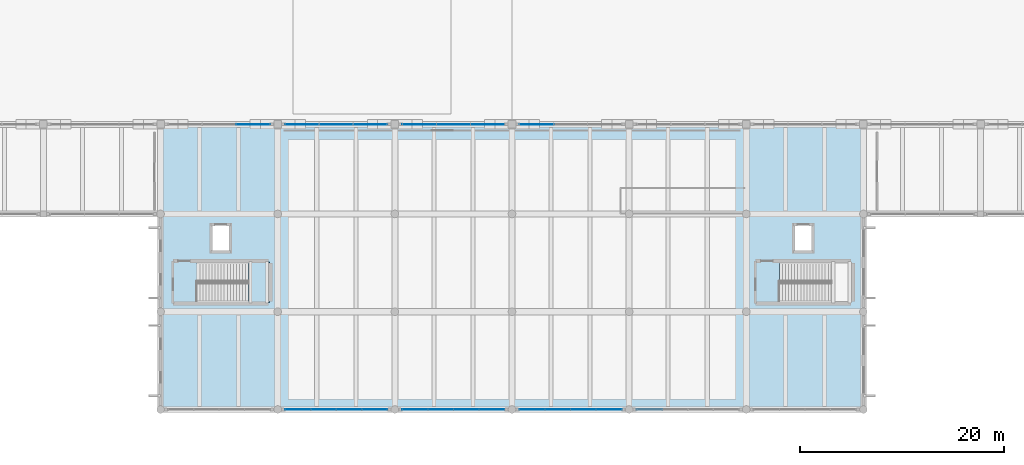
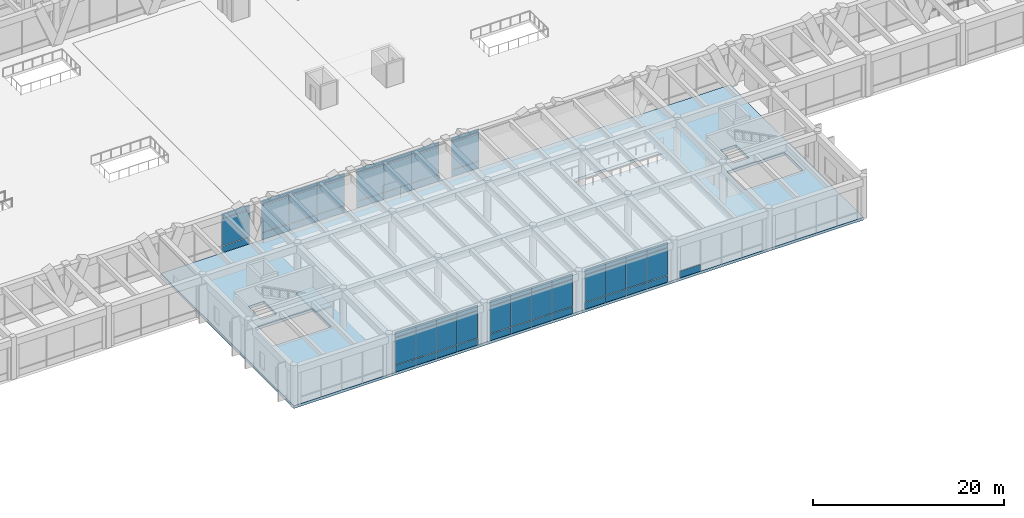
# One storey, part 115 of 148: 61 plates, 2 slabs, 9 elements without a shape of their own.
"""IFC4 building model written with IfcOpenShell, lengths in metres."""

from ifc_helpers import new_model, si_unit, direction, frame, origin, origin_2d, place, context, subcontext, project, spatial, polyline, rectangle, outline, extrude, material, layer, layer_set, type_object, element, aggregate, save


model = new_model("IFC4")

# Units and contexts
model_context = context("Model", 3, precision=1e-05, world=origin(), true_north=direction((0.0, 1.0)))
body_context = subcontext(model_context, "Body", "Model", "MODEL_VIEW")
ifc_project = project(units=[si_unit("LENGTHUNIT", "METRE"), si_unit("AREAUNIT", "SQUARE_METRE"), si_unit("VOLUMEUNIT", "CUBIC_METRE"), si_unit("PLANEANGLEUNIT", "RADIAN"), si_unit("MASSUNIT", "GRAM", prefix="KILO")], contexts=[model_context])

# Site, building, storey
site_placement = place(None, origin())
site = spatial("IfcSite", under=ifc_project, at=site_placement, CompositionType="ELEMENT")
building_placement = place(site_placement, origin())
building = spatial("IfcBuilding", under=site, at=building_placement, Name="Ologun Quay Terminus", CompositionType="ELEMENT")
storey_placement = place(building_placement, frame((0.0, 0.0, 8.39990234375)))
storey = spatial("IfcBuildingStorey", under=building, at=storey_placement, Name="L02", CompositionType="ELEMENT", Elevation=8.39990234375)

# Curtain wall, plates
ifc_material_1 = material(Name="Aluminium 6063-T6", Category="aluminium")
curtain_wall_type_1 = type_object("IfcCurtainWallType", Name="Concourse Departure Curtain Wall 10700x4950", PredefinedType="USERDEFINED", material=ifc_material_1)
curtain_wall_1_placement = place(storey_placement, origin())
curtain_wall_1 = element("IfcCurtainWall", 1, at=curtain_wall_1_placement, inside=storey, type_object=curtain_wall_type_1, Name="CW-05 Curtain Wall CW-L02-025", ObjectType="UNITISED CURTAIN WALL", PredefinedType="USERDEFINED")
ifc_material_2 = material(Name="Glass", Category="glass")
ifc_layer_1 = layer(ifc_material_2, 0.031982421875)
ifc_layer_set_1 = layer_set([ifc_layer_1], Name="Glass")
plate_type_1 = type_object("IfcPlateType", Name="Acoustic Low-E Laminated Glazed Panel 32", PredefinedType="CURTAIN_PANEL", material=ifc_layer_set_1)
plate_1_placement = place(storey_placement, frame((70.996337890625, 8.0, 0.93017578125), z_axis=(0.0, 0.0, 1.0), x_axis=(1.0, 0.0, 0.0)))
plate_1 = element("IfcPlate", 2, at=plate_1_placement, type_object=plate_type_1, Name="CW-L02-025 Panel B1-2", PredefinedType="CURTAIN_PANEL", context=body_context, shape_type="SweptSolid", body=[
    extrude(rectangle(XDim=2.50244140625, YDim=0.031982421875, at=origin_2d()), origin(), (0.0, 0.0, 1.0), 3.47998046875),
])
plate_2_placement = place(storey_placement, frame((70.996337890625, 8.0, 4.47021484375), z_axis=(0.0, 0.0, 1.0), x_axis=(1.0, 0.0, 0.0)))
plate_2 = element("IfcPlate", 3, at=plate_2_placement, type_object=plate_type_1, Name="CW-L02-025 Panel B1-3", PredefinedType="CURTAIN_PANEL", context=body_context, shape_type="SweptSolid", body=[
    extrude(rectangle(XDim=2.50244140625, YDim=0.031982421875, at=origin_2d()), origin(), (0.0, 0.0, 1.0), 0.639892578125),
])
plate_3_placement = place(storey_placement, frame((73.498779296875, 8.0, 0.93017578125), z_axis=(0.0, 0.0, 1.0), x_axis=(1.0, 0.0, 0.0)))
plate_3 = element("IfcPlate", 4, at=plate_3_placement, type_object=plate_type_1, Name="CW-L02-025 Panel B2-2", PredefinedType="CURTAIN_PANEL", context=body_context, shape_type="SweptSolid", body=[
    extrude(rectangle(XDim=2.50244140625, YDim=0.031982421875, at=origin_2d()), origin(), (0.0, 0.0, 1.0), 3.47998046875),
])
plate_4_placement = place(storey_placement, frame((73.498779296875, 8.0, 4.47021484375), z_axis=(0.0, 0.0, 1.0), x_axis=(1.0, 0.0, 0.0)))
plate_4 = element("IfcPlate", 5, at=plate_4_placement, type_object=plate_type_1, Name="CW-L02-025 Panel B2-3", PredefinedType="CURTAIN_PANEL", context=body_context, shape_type="SweptSolid", body=[
    extrude(rectangle(XDim=2.50244140625, YDim=0.031982421875, at=origin_2d()), origin(), (0.0, 0.0, 1.0), 0.639892578125),
])
plate_5_placement = place(storey_placement, frame((76.001220703125, 8.0, 0.93017578125), z_axis=(0.0, 0.0, 1.0), x_axis=(1.0, 0.0, 0.0)))
plate_5 = element("IfcPlate", 6, at=plate_5_placement, type_object=plate_type_1, Name="CW-L02-025 Panel B3-2", PredefinedType="CURTAIN_PANEL", context=body_context, shape_type="SweptSolid", body=[
    extrude(rectangle(XDim=2.50244140625, YDim=0.031982421875, at=origin_2d()), origin(), (0.0, 0.0, 1.0), 3.47998046875),
])
plate_6_placement = place(storey_placement, frame((76.001220703125, 8.0, 4.47021484375), z_axis=(0.0, 0.0, 1.0), x_axis=(1.0, 0.0, 0.0)))
plate_6 = element("IfcPlate", 7, at=plate_6_placement, type_object=plate_type_1, Name="CW-L02-025 Panel B3-3", PredefinedType="CURTAIN_PANEL", context=body_context, shape_type="SweptSolid", body=[
    extrude(rectangle(XDim=2.50244140625, YDim=0.031982421875, at=origin_2d()), origin(), (0.0, 0.0, 1.0), 0.639892578125),
])
plate_7_placement = place(storey_placement, frame((78.503662109375, 8.0, 0.93017578125), z_axis=(0.0, 0.0, 1.0), x_axis=(1.0, 0.0, 0.0)))
plate_7 = element("IfcPlate", 8, at=plate_7_placement, type_object=plate_type_1, Name="CW-L02-025 Panel B4-2", PredefinedType="CURTAIN_PANEL", context=body_context, shape_type="SweptSolid", body=[
    extrude(rectangle(XDim=2.50244140625, YDim=0.031982421875, at=origin_2d()), origin(), (0.0, 0.0, 1.0), 3.47998046875),
])
plate_8_placement = place(storey_placement, frame((78.503662109375, 8.0, 4.47021484375), z_axis=(0.0, 0.0, 1.0), x_axis=(1.0, 0.0, 0.0)))
plate_8 = element("IfcPlate", 9, at=plate_8_placement, type_object=plate_type_1, Name="CW-L02-025 Panel B4-3", PredefinedType="CURTAIN_PANEL", context=body_context, shape_type="SweptSolid", body=[
    extrude(rectangle(XDim=2.50244140625, YDim=0.031982421875, at=origin_2d()), origin(), (0.0, 0.0, 1.0), 0.639892578125),
])

curtain_wall_2_placement = place(storey_placement, origin())
curtain_wall_2 = element("IfcCurtainWall", 10, at=curtain_wall_2_placement, inside=storey, type_object=curtain_wall_type_1, Name="CW-05 Curtain Wall CW-L02-026", ObjectType="UNITISED CURTAIN WALL", PredefinedType="USERDEFINED")
plate_9_placement = place(storey_placement, frame((82.496337890625, 8.0, 0.93017578125), z_axis=(0.0, 0.0, 1.0), x_axis=(1.0, 0.0, 0.0)))
plate_9 = element("IfcPlate", 11, at=plate_9_placement, type_object=plate_type_1, Name="CW-L02-026 Panel B1-2", PredefinedType="CURTAIN_PANEL", context=body_context, shape_type="SweptSolid", body=[
    extrude(rectangle(XDim=2.50244140625, YDim=0.031982421875, at=origin_2d()), origin(), (0.0, 0.0, 1.0), 3.47998046875),
])
plate_10_placement = place(storey_placement, frame((82.496337890625, 8.0, 4.47021484375), z_axis=(0.0, 0.0, 1.0), x_axis=(1.0, 0.0, 0.0)))
plate_10 = element("IfcPlate", 12, at=plate_10_placement, type_object=plate_type_1, Name="CW-L02-026 Panel B1-3", PredefinedType="CURTAIN_PANEL", context=body_context, shape_type="SweptSolid", body=[
    extrude(rectangle(XDim=2.50244140625, YDim=0.031982421875, at=origin_2d()), origin(), (0.0, 0.0, 1.0), 0.639892578125),
])
plate_11_placement = place(storey_placement, frame((84.998779296875, 8.0, 0.93017578125), z_axis=(0.0, 0.0, 1.0), x_axis=(1.0, 0.0, 0.0)))
plate_11 = element("IfcPlate", 13, at=plate_11_placement, type_object=plate_type_1, Name="CW-L02-026 Panel B2-2", PredefinedType="CURTAIN_PANEL", context=body_context, shape_type="SweptSolid", body=[
    extrude(rectangle(XDim=2.50244140625, YDim=0.031982421875, at=origin_2d()), origin(), (0.0, 0.0, 1.0), 3.47998046875),
])
plate_12_placement = place(storey_placement, frame((84.998779296875, 8.0, 4.47021484375), z_axis=(0.0, 0.0, 1.0), x_axis=(1.0, 0.0, 0.0)))
plate_12 = element("IfcPlate", 14, at=plate_12_placement, type_object=plate_type_1, Name="CW-L02-026 Panel B2-3", PredefinedType="CURTAIN_PANEL", context=body_context, shape_type="SweptSolid", body=[
    extrude(rectangle(XDim=2.50244140625, YDim=0.031982421875, at=origin_2d()), origin(), (0.0, 0.0, 1.0), 0.639892578125),
])
plate_13_placement = place(storey_placement, frame((87.501220703125, 8.0, 0.93017578125), z_axis=(0.0, 0.0, 1.0), x_axis=(1.0, 0.0, 0.0)))
plate_13 = element("IfcPlate", 15, at=plate_13_placement, type_object=plate_type_1, Name="CW-L02-026 Panel B3-2", PredefinedType="CURTAIN_PANEL", context=body_context, shape_type="SweptSolid", body=[
    extrude(rectangle(XDim=2.50244140625, YDim=0.031982421875, at=origin_2d()), origin(), (0.0, 0.0, 1.0), 3.47998046875),
])
plate_14_placement = place(storey_placement, frame((87.501220703125, 8.0, 4.47021484375), z_axis=(0.0, 0.0, 1.0), x_axis=(1.0, 0.0, 0.0)))
plate_14 = element("IfcPlate", 16, at=plate_14_placement, type_object=plate_type_1, Name="CW-L02-026 Panel B3-3", PredefinedType="CURTAIN_PANEL", context=body_context, shape_type="SweptSolid", body=[
    extrude(rectangle(XDim=2.50244140625, YDim=0.031982421875, at=origin_2d()), origin(), (0.0, 0.0, 1.0), 0.639892578125),
])
plate_15_placement = place(storey_placement, frame((90.003662109375, 8.0, 0.93017578125), z_axis=(0.0, 0.0, 1.0), x_axis=(1.0, 0.0, 0.0)))
plate_15 = element("IfcPlate", 17, at=plate_15_placement, type_object=plate_type_1, Name="CW-L02-026 Panel B4-2", PredefinedType="CURTAIN_PANEL", context=body_context, shape_type="SweptSolid", body=[
    extrude(rectangle(XDim=2.50244140625, YDim=0.031982421875, at=origin_2d()), origin(), (0.0, 0.0, 1.0), 3.47998046875),
])
plate_16_placement = place(storey_placement, frame((90.003662109375, 8.0, 4.47021484375), z_axis=(0.0, 0.0, 1.0), x_axis=(1.0, 0.0, 0.0)))
plate_16 = element("IfcPlate", 18, at=plate_16_placement, type_object=plate_type_1, Name="CW-L02-026 Panel B4-3", PredefinedType="CURTAIN_PANEL", context=body_context, shape_type="SweptSolid", body=[
    extrude(rectangle(XDim=2.50244140625, YDim=0.031982421875, at=origin_2d()), origin(), (0.0, 0.0, 1.0), 0.639892578125),
])

curtain_wall_3_placement = place(storey_placement, origin())
curtain_wall_3 = element("IfcCurtainWall", 19, at=curtain_wall_3_placement, inside=storey, type_object=curtain_wall_type_1, Name="CW-05 Curtain Wall CW-L02-027", ObjectType="UNITISED CURTAIN WALL", PredefinedType="USERDEFINED")
plate_17_placement = place(storey_placement, frame((93.996337890625, 8.0, 0.93017578125), z_axis=(0.0, 0.0, 1.0), x_axis=(1.0, 0.0, 0.0)))
plate_17 = element("IfcPlate", 20, at=plate_17_placement, type_object=plate_type_1, Name="CW-L02-027 Panel B1-2", PredefinedType="CURTAIN_PANEL", context=body_context, shape_type="SweptSolid", body=[
    extrude(rectangle(XDim=2.50244140625, YDim=0.031982421875, at=origin_2d()), origin(), (0.0, 0.0, 1.0), 3.47998046875),
])
plate_18_placement = place(storey_placement, frame((93.996337890625, 8.0, 4.47021484375), z_axis=(0.0, 0.0, 1.0), x_axis=(1.0, 0.0, 0.0)))
plate_18 = element("IfcPlate", 21, at=plate_18_placement, type_object=plate_type_1, Name="CW-L02-027 Panel B1-3", PredefinedType="CURTAIN_PANEL", context=body_context, shape_type="SweptSolid", body=[
    extrude(rectangle(XDim=2.50244140625, YDim=0.031982421875, at=origin_2d()), origin(), (0.0, 0.0, 1.0), 0.639892578125),
])
plate_19_placement = place(storey_placement, frame((96.498779296875, 8.0, 0.93017578125), z_axis=(0.0, 0.0, 1.0), x_axis=(1.0, 0.0, 0.0)))
plate_19 = element("IfcPlate", 22, at=plate_19_placement, type_object=plate_type_1, Name="CW-L02-027 Panel B2-2", PredefinedType="CURTAIN_PANEL", context=body_context, shape_type="SweptSolid", body=[
    extrude(rectangle(XDim=2.50244140625, YDim=0.031982421875, at=origin_2d()), origin(), (0.0, 0.0, 1.0), 3.47998046875),
])
plate_20_placement = place(storey_placement, frame((96.498779296875, 8.0, 4.47021484375), z_axis=(0.0, 0.0, 1.0), x_axis=(1.0, 0.0, 0.0)))
plate_20 = element("IfcPlate", 23, at=plate_20_placement, type_object=plate_type_1, Name="CW-L02-027 Panel B2-3", PredefinedType="CURTAIN_PANEL", context=body_context, shape_type="SweptSolid", body=[
    extrude(rectangle(XDim=2.50244140625, YDim=0.031982421875, at=origin_2d()), origin(), (0.0, 0.0, 1.0), 0.639892578125),
])
plate_21_placement = place(storey_placement, frame((99.001220703125, 8.0, 0.93017578125), z_axis=(0.0, 0.0, 1.0), x_axis=(1.0, 0.0, 0.0)))
plate_21 = element("IfcPlate", 24, at=plate_21_placement, type_object=plate_type_1, Name="CW-L02-027 Panel B3-2", PredefinedType="CURTAIN_PANEL", context=body_context, shape_type="SweptSolid", body=[
    extrude(rectangle(XDim=2.50244140625, YDim=0.031982421875, at=origin_2d()), origin(), (0.0, 0.0, 1.0), 3.47998046875),
])
plate_22_placement = place(storey_placement, frame((99.001220703125, 8.0, 4.47021484375), z_axis=(0.0, 0.0, 1.0), x_axis=(1.0, 0.0, 0.0)))
plate_22 = element("IfcPlate", 25, at=plate_22_placement, type_object=plate_type_1, Name="CW-L02-027 Panel B3-3", PredefinedType="CURTAIN_PANEL", context=body_context, shape_type="SweptSolid", body=[
    extrude(rectangle(XDim=2.50244140625, YDim=0.031982421875, at=origin_2d()), origin(), (0.0, 0.0, 1.0), 0.639892578125),
])
plate_23_placement = place(storey_placement, frame((101.503662109375, 8.0, 0.93017578125), z_axis=(0.0, 0.0, 1.0), x_axis=(1.0, 0.0, 0.0)))
plate_23 = element("IfcPlate", 26, at=plate_23_placement, type_object=plate_type_1, Name="CW-L02-027 Panel B4-2", PredefinedType="CURTAIN_PANEL", context=body_context, shape_type="SweptSolid", body=[
    extrude(rectangle(XDim=2.50244140625, YDim=0.031982421875, at=origin_2d()), origin(), (0.0, 0.0, 1.0), 3.47998046875),
])
plate_24_placement = place(storey_placement, frame((101.503662109375, 8.0, 4.47021484375), z_axis=(0.0, 0.0, 1.0), x_axis=(1.0, 0.0, 0.0)))
plate_24 = element("IfcPlate", 27, at=plate_24_placement, type_object=plate_type_1, Name="CW-L02-027 Panel B4-3", PredefinedType="CURTAIN_PANEL", context=body_context, shape_type="SweptSolid", body=[
    extrude(rectangle(XDim=2.50244140625, YDim=0.031982421875, at=origin_2d()), origin(), (0.0, 0.0, 1.0), 0.639892578125),
])

# Slab
ifc_material_3 = material(Name="Concrete C40/50", Category="concrete")
ifc_layer_2 = layer(ifc_material_3, 0.35009765625)
ifc_layer_set_2 = layer_set([ifc_layer_2], Name="Concrete C40/50")
slab_type_1 = type_object("IfcSlabType", Name="Elevated Concourse Deck Slab 350", PredefinedType="FLOOR", material=ifc_layer_set_2)
slab_1_placement = place(storey_placement, frame((0.0, 0.0, -0.349853515625)))
element("IfcSlab", 28, at=slab_1_placement, inside=storey, type_object=slab_type_1, Name="SL-CON South Concourse Slab 2", PredefinedType="FLOOR", context=body_context, shape_type="SweptSolid", body=[
    extrude(outline(polyline([(57.5, 8.0), (126.5, 8.0), (126.5, 36.0), (57.5, 36.0), (57.5, 8.0)]), holes=[polyline([(62.449951171875, 23.449951171875), (62.449951171875, 26.14990234375), (64.35009765625, 26.14990234375), (64.35009765625, 23.449951171875), (62.449951171875, 23.449951171875)]), polyline([(119.64990234375, 23.449951171875), (119.64990234375, 26.14990234375), (121.550048828125, 26.14990234375), (121.550048828125, 23.449951171875), (119.64990234375, 23.449951171875)]), polyline([(61.080078125, 18.60009765625), (61.080078125, 22.39990234375), (68.10009765625, 22.39990234375), (68.10009765625, 18.60009765625), (61.080078125, 18.60009765625)]), polyline([(118.280029296875, 18.60009765625), (118.280029296875, 22.39990234375), (125.300048828125, 22.39990234375), (125.300048828125, 18.60009765625), (118.280029296875, 18.60009765625)]), polyline([(103.64990234375, 27.800048828125), (103.64990234375, 29.199951171875), (113.85009765625, 29.199951171875), (113.85009765625, 27.800048828125), (103.64990234375, 27.800048828125)])]), origin(), (0.0, 0.0, 1.0), 0.349853515625),
])

# Plate
ifc_material_4 = material(Name="Aluminium 6063-T6", Category="aluminium")
ifc_layer_3 = layer(ifc_material_4, 0.050048828125)
ifc_layer_set_3 = layer_set([ifc_layer_3], Name="Aluminium 6063-T6")
plate_type_2 = type_object("IfcPlateType", Name="Insulated Aluminium Shadow-Box Spandrel 50", PredefinedType="CURTAIN_PANEL", material=ifc_layer_set_3)
plate_25_placement = place(storey_placement, frame((70.996337890625, 8.0, 0.0302734375), z_axis=(0.0, 0.0, 1.0), x_axis=(1.0, 0.0, 0.0)))
plate_25 = element("IfcPlate", 29, at=plate_25_placement, type_object=plate_type_2, Name="CW-L02-025 Panel B1-1", PredefinedType="CURTAIN_PANEL", context=body_context, shape_type="SweptSolid", body=[
    extrude(rectangle(XDim=2.50244140625, YDim=0.050048828125, at=origin_2d()), origin(), (0.0, 0.0, 1.0), 0.840087890625),
])

plate_26_placement = place(storey_placement, frame((73.498779296875, 8.0, 0.0302734375), z_axis=(0.0, 0.0, 1.0), x_axis=(1.0, 0.0, 0.0)))
plate_26 = element("IfcPlate", 30, at=plate_26_placement, type_object=plate_type_2, Name="CW-L02-025 Panel B2-1", PredefinedType="CURTAIN_PANEL", context=body_context, shape_type="SweptSolid", body=[
    extrude(rectangle(XDim=2.50244140625, YDim=0.050048828125, at=origin_2d()), origin(), (0.0, 0.0, 1.0), 0.840087890625),
])

plate_27_placement = place(storey_placement, frame((76.001220703125, 8.0, 0.0302734375), z_axis=(0.0, 0.0, 1.0), x_axis=(1.0, 0.0, 0.0)))
plate_27 = element("IfcPlate", 31, at=plate_27_placement, type_object=plate_type_2, Name="CW-L02-025 Panel B3-1", PredefinedType="CURTAIN_PANEL", context=body_context, shape_type="SweptSolid", body=[
    extrude(rectangle(XDim=2.50244140625, YDim=0.050048828125, at=origin_2d()), origin(), (0.0, 0.0, 1.0), 0.840087890625),
])

plate_28_placement = place(storey_placement, frame((78.503662109375, 8.0, 0.0302734375), z_axis=(0.0, 0.0, 1.0), x_axis=(1.0, 0.0, 0.0)))
plate_28 = element("IfcPlate", 32, at=plate_28_placement, type_object=plate_type_2, Name="CW-L02-025 Panel B4-1", PredefinedType="CURTAIN_PANEL", context=body_context, shape_type="SweptSolid", body=[
    extrude(rectangle(XDim=2.50244140625, YDim=0.050048828125, at=origin_2d()), origin(), (0.0, 0.0, 1.0), 0.840087890625),
])

aggregate(curtain_wall_1, [plate_25, plate_1, plate_2, plate_26, plate_3, plate_4, plate_27, plate_5, plate_6, plate_28, plate_7, plate_8])

plate_29_placement = place(storey_placement, frame((82.496337890625, 8.0, 0.0302734375), z_axis=(0.0, 0.0, 1.0), x_axis=(1.0, 0.0, 0.0)))
plate_29 = element("IfcPlate", 33, at=plate_29_placement, type_object=plate_type_2, Name="CW-L02-026 Panel B1-1", PredefinedType="CURTAIN_PANEL", context=body_context, shape_type="SweptSolid", body=[
    extrude(rectangle(XDim=2.50244140625, YDim=0.050048828125, at=origin_2d()), origin(), (0.0, 0.0, 1.0), 0.840087890625),
])

plate_30_placement = place(storey_placement, frame((84.998779296875, 8.0, 0.0302734375), z_axis=(0.0, 0.0, 1.0), x_axis=(1.0, 0.0, 0.0)))
plate_30 = element("IfcPlate", 34, at=plate_30_placement, type_object=plate_type_2, Name="CW-L02-026 Panel B2-1", PredefinedType="CURTAIN_PANEL", context=body_context, shape_type="SweptSolid", body=[
    extrude(rectangle(XDim=2.50244140625, YDim=0.050048828125, at=origin_2d()), origin(), (0.0, 0.0, 1.0), 0.840087890625),
])

plate_31_placement = place(storey_placement, frame((87.501220703125, 8.0, 0.0302734375), z_axis=(0.0, 0.0, 1.0), x_axis=(1.0, 0.0, 0.0)))
plate_31 = element("IfcPlate", 35, at=plate_31_placement, type_object=plate_type_2, Name="CW-L02-026 Panel B3-1", PredefinedType="CURTAIN_PANEL", context=body_context, shape_type="SweptSolid", body=[
    extrude(rectangle(XDim=2.50244140625, YDim=0.050048828125, at=origin_2d()), origin(), (0.0, 0.0, 1.0), 0.840087890625),
])

plate_32_placement = place(storey_placement, frame((90.003662109375, 8.0, 0.0302734375), z_axis=(0.0, 0.0, 1.0), x_axis=(1.0, 0.0, 0.0)))
plate_32 = element("IfcPlate", 36, at=plate_32_placement, type_object=plate_type_2, Name="CW-L02-026 Panel B4-1", PredefinedType="CURTAIN_PANEL", context=body_context, shape_type="SweptSolid", body=[
    extrude(rectangle(XDim=2.50244140625, YDim=0.050048828125, at=origin_2d()), origin(), (0.0, 0.0, 1.0), 0.840087890625),
])

aggregate(curtain_wall_2, [plate_29, plate_9, plate_10, plate_30, plate_11, plate_12, plate_31, plate_13, plate_14, plate_32, plate_15, plate_16])

plate_33_placement = place(storey_placement, frame((93.996337890625, 8.0, 0.0302734375), z_axis=(0.0, 0.0, 1.0), x_axis=(1.0, 0.0, 0.0)))
plate_33 = element("IfcPlate", 37, at=plate_33_placement, type_object=plate_type_2, Name="CW-L02-027 Panel B1-1", PredefinedType="CURTAIN_PANEL", context=body_context, shape_type="SweptSolid", body=[
    extrude(rectangle(XDim=2.50244140625, YDim=0.050048828125, at=origin_2d()), origin(), (0.0, 0.0, 1.0), 0.840087890625),
])

plate_34_placement = place(storey_placement, frame((96.498779296875, 8.0, 0.0302734375), z_axis=(0.0, 0.0, 1.0), x_axis=(1.0, 0.0, 0.0)))
plate_34 = element("IfcPlate", 38, at=plate_34_placement, type_object=plate_type_2, Name="CW-L02-027 Panel B2-1", PredefinedType="CURTAIN_PANEL", context=body_context, shape_type="SweptSolid", body=[
    extrude(rectangle(XDim=2.50244140625, YDim=0.050048828125, at=origin_2d()), origin(), (0.0, 0.0, 1.0), 0.840087890625),
])

plate_35_placement = place(storey_placement, frame((99.001220703125, 8.0, 0.0302734375), z_axis=(0.0, 0.0, 1.0), x_axis=(1.0, 0.0, 0.0)))
plate_35 = element("IfcPlate", 39, at=plate_35_placement, type_object=plate_type_2, Name="CW-L02-027 Panel B3-1", PredefinedType="CURTAIN_PANEL", context=body_context, shape_type="SweptSolid", body=[
    extrude(rectangle(XDim=2.50244140625, YDim=0.050048828125, at=origin_2d()), origin(), (0.0, 0.0, 1.0), 0.840087890625),
])

plate_36_placement = place(storey_placement, frame((101.503662109375, 8.0, 0.0302734375), z_axis=(0.0, 0.0, 1.0), x_axis=(1.0, 0.0, 0.0)))
plate_36 = element("IfcPlate", 40, at=plate_36_placement, type_object=plate_type_2, Name="CW-L02-027 Panel B4-1", PredefinedType="CURTAIN_PANEL", context=body_context, shape_type="SweptSolid", body=[
    extrude(rectangle(XDim=2.50244140625, YDim=0.050048828125, at=origin_2d()), origin(), (0.0, 0.0, 1.0), 0.840087890625),
])

aggregate(curtain_wall_3, [plate_33, plate_17, plate_18, plate_34, plate_19, plate_20, plate_35, plate_21, plate_22, plate_36, plate_23, plate_24])

# Curtain wall, plate
curtain_wall_4_placement = place(storey_placement, origin())
curtain_wall_4 = element("IfcCurtainWall", 41, at=curtain_wall_4_placement, inside=storey, type_object=curtain_wall_type_1, Name="CW-05 Curtain Wall CW-L02-028", ObjectType="UNITISED CURTAIN WALL", PredefinedType="USERDEFINED")
plate_37_placement = place(storey_placement, frame((105.496337890625, 8.0, 0.0302734375), z_axis=(0.0, 0.0, 1.0), x_axis=(1.0, 0.0, 0.0)))
plate_37 = element("IfcPlate", 42, at=plate_37_placement, type_object=plate_type_2, Name="CW-L02-028 Panel B1-1", PredefinedType="CURTAIN_PANEL", context=body_context, shape_type="SweptSolid", body=[
    extrude(rectangle(XDim=2.50244140625, YDim=0.050048828125, at=origin_2d()), origin(), (0.0, 0.0, 1.0), 0.840087890625),
])
aggregate(curtain_wall_4, [plate_37])

ifc_material_5 = material(Name="Aluminium 6063-T6", Category="aluminium")
curtain_wall_type_2 = type_object("IfcCurtainWallType", Name="Train Shed South Clerestory Curtain Wall 10700x5050", PredefinedType="USERDEFINED", material=ifc_material_5)
curtain_wall_5_placement = place(storey_placement, origin())
curtain_wall_5 = element("IfcCurtainWall", 43, at=curtain_wall_5_placement, inside=storey, type_object=curtain_wall_type_2, Name="CW-08 Curtain Wall CW-L02-054", ObjectType="UNITISED CURTAIN WALL", PredefinedType="USERDEFINED")
plate_38_placement = place(storey_placement, frame((66.586669921875, 36.0, 0.0302734375), z_axis=(0.0, 0.0, 1.0), x_axis=(1.0, 0.0, 0.0)))
plate_38 = element("IfcPlate", 44, at=plate_38_placement, type_object=plate_type_2, Name="CW-L02-054 Panel B3-1", PredefinedType="CURTAIN_PANEL", context=body_context, shape_type="SweptSolid", body=[
    extrude(rectangle(XDim=3.336669921875, YDim=0.050048828125, at=origin_2d()), origin(), (0.0, 0.0, 1.0), 0.840087890625),
])

# Curtain wall, plates
curtain_wall_6_placement = place(storey_placement, origin())
curtain_wall_6 = element("IfcCurtainWall", 45, at=curtain_wall_6_placement, inside=storey, type_object=curtain_wall_type_2, Name="CW-08 Curtain Wall CW-L02-056", ObjectType="UNITISED CURTAIN WALL", PredefinedType="USERDEFINED")
plate_39_placement = place(storey_placement, frame((71.413330078125, 36.0, 0.0302734375), z_axis=(0.0, 0.0, 1.0), x_axis=(1.0, 0.0, 0.0)))
plate_39 = element("IfcPlate", 46, at=plate_39_placement, type_object=plate_type_2, Name="CW-L02-056 Panel B1-1", PredefinedType="CURTAIN_PANEL", context=body_context, shape_type="SweptSolid", body=[
    extrude(rectangle(XDim=3.336669921875, YDim=0.050048828125, at=origin_2d()), origin(), (0.0, 0.0, 1.0), 0.840087890625),
])
plate_40_placement = place(storey_placement, frame((74.75, 36.0, 0.0302734375), z_axis=(0.0, 0.0, 1.0), x_axis=(1.0, 0.0, 0.0)))
plate_40 = element("IfcPlate", 47, at=plate_40_placement, type_object=plate_type_2, Name="CW-L02-056 Panel B2-1", PredefinedType="CURTAIN_PANEL", context=body_context, shape_type="SweptSolid", body=[
    extrude(rectangle(XDim=3.336669921875, YDim=0.050048828125, at=origin_2d()), origin(), (0.0, 0.0, 1.0), 0.840087890625),
])
plate_41_placement = place(storey_placement, frame((78.086669921875, 36.0, 0.0302734375), z_axis=(0.0, 0.0, 1.0), x_axis=(1.0, 0.0, 0.0)))
plate_41 = element("IfcPlate", 48, at=plate_41_placement, type_object=plate_type_2, Name="CW-L02-056 Panel B3-1", PredefinedType="CURTAIN_PANEL", context=body_context, shape_type="SweptSolid", body=[
    extrude(rectangle(XDim=3.336669921875, YDim=0.050048828125, at=origin_2d()), origin(), (0.0, 0.0, 1.0), 0.840087890625),
])

curtain_wall_7_placement = place(storey_placement, origin())
curtain_wall_7 = element("IfcCurtainWall", 49, at=curtain_wall_7_placement, inside=storey, type_object=curtain_wall_type_2, Name="CW-08 Curtain Wall CW-L02-058", ObjectType="UNITISED CURTAIN WALL", PredefinedType="USERDEFINED")
plate_42_placement = place(storey_placement, frame((82.913330078125, 36.0, 0.0302734375), z_axis=(0.0, 0.0, 1.0), x_axis=(1.0, 0.0, 0.0)))
plate_42 = element("IfcPlate", 50, at=plate_42_placement, type_object=plate_type_2, Name="CW-L02-058 Panel B1-1", PredefinedType="CURTAIN_PANEL", context=body_context, shape_type="SweptSolid", body=[
    extrude(rectangle(XDim=3.336669921875, YDim=0.050048828125, at=origin_2d()), origin(), (0.0, 0.0, 1.0), 0.840087890625),
])
plate_43_placement = place(storey_placement, frame((86.25, 36.0, 0.0302734375), z_axis=(0.0, 0.0, 1.0), x_axis=(1.0, 0.0, 0.0)))
plate_43 = element("IfcPlate", 51, at=plate_43_placement, type_object=plate_type_2, Name="CW-L02-058 Panel B2-1", PredefinedType="CURTAIN_PANEL", context=body_context, shape_type="SweptSolid", body=[
    extrude(rectangle(XDim=3.336669921875, YDim=0.050048828125, at=origin_2d()), origin(), (0.0, 0.0, 1.0), 0.840087890625),
])
plate_44_placement = place(storey_placement, frame((89.586669921875, 36.0, 0.0302734375), z_axis=(0.0, 0.0, 1.0), x_axis=(1.0, 0.0, 0.0)))
plate_44 = element("IfcPlate", 52, at=plate_44_placement, type_object=plate_type_2, Name="CW-L02-058 Panel B3-1", PredefinedType="CURTAIN_PANEL", context=body_context, shape_type="SweptSolid", body=[
    extrude(rectangle(XDim=3.336669921875, YDim=0.050048828125, at=origin_2d()), origin(), (0.0, 0.0, 1.0), 0.840087890625),
])

# Curtain wall, plate
curtain_wall_8_placement = place(storey_placement, origin())
curtain_wall_8 = element("IfcCurtainWall", 53, at=curtain_wall_8_placement, inside=storey, type_object=curtain_wall_type_2, Name="CW-08 Curtain Wall CW-L02-060", ObjectType="UNITISED CURTAIN WALL", PredefinedType="USERDEFINED")
plate_45_placement = place(storey_placement, frame((94.413330078125, 36.0, 0.0302734375), z_axis=(0.0, 0.0, 1.0), x_axis=(1.0, 0.0, 0.0)))
plate_45 = element("IfcPlate", 54, at=plate_45_placement, type_object=plate_type_2, Name="CW-L02-060 Panel B1-1", PredefinedType="CURTAIN_PANEL", context=body_context, shape_type="SweptSolid", body=[
    extrude(rectangle(XDim=3.336669921875, YDim=0.050048828125, at=origin_2d()), origin(), (0.0, 0.0, 1.0), 0.840087890625),
])

# Stair, slab
ifc_material_6 = material(Name="Concrete C40/50", Category="concrete")
stair_type = type_object("IfcStairType", Name="Station Concourse Escape Stair 1800", PredefinedType="HALF_TURN_STAIR", material=ifc_material_6)
stair_placement = place(storey_placement, origin())
stair = element("IfcStair", 55, at=stair_placement, inside=storey, type_object=stair_type, Name="ST-S3 Stair L02", PredefinedType="HALF_TURN_STAIR")
ifc_material_7 = material(Name="Precast Concrete C40/50", Category="concrete")
ifc_layer_4 = layer(ifc_material_7, 0.179931640625)
ifc_layer_set_4 = layer_set([ifc_layer_4], Name="Precast Concrete C40/50")
slab_type_2 = type_object("IfcSlabType", Name="Precast Stair Half-Landing Slab 180", PredefinedType="LANDING", material=ifc_layer_set_4)
slab_2_placement = place(storey_placement, frame((0.0, 0.0, 2.52001953125)))
slab_2 = element("IfcSlab", 56, at=slab_2_placement, type_object=slab_type_2, Name="ST-S3 Half-Landing L02", PredefinedType="LANDING", context=body_context, shape_type="SweptSolid", body=[
    extrude(outline(polyline([(66.1201171875, 18.52001953125), (68.179931640625, 18.52001953125), (68.179931640625, 22.47998046875), (66.1201171875, 22.47998046875), (66.1201171875, 18.52001953125)])), origin(), (0.0, 0.0, 1.0), 0.18017578125),
])
aggregate(stair, [slab_2])

# Plate
ifc_material_8 = material(Name="Glass", Category="glass")
ifc_layer_5 = layer(ifc_material_8, 0.028076171875)
ifc_layer_set_5 = layer_set([ifc_layer_5], Name="Glass")
plate_type_3 = type_object("IfcPlateType", Name="Solar-Control Double Glazed Panel 28", PredefinedType="CURTAIN_PANEL", material=ifc_layer_set_5)
plate_46_placement = place(storey_placement, frame((66.586669921875, 36.0, 0.93017578125), z_axis=(0.0, 0.0, 1.0), x_axis=(1.0, 0.0, 0.0)))
plate_46 = element("IfcPlate", 57, at=plate_46_placement, type_object=plate_type_3, Name="CW-L02-054 Panel B3-2", PredefinedType="CURTAIN_PANEL", context=body_context, shape_type="SweptSolid", body=[
    extrude(rectangle(XDim=3.336669921875, YDim=0.028076171875, at=origin_2d()), origin(), (0.0, 0.0, 1.0), 3.43994140625),
])

plate_47_placement = place(storey_placement, frame((66.586669921875, 36.0, 4.43017578125), z_axis=(0.0, 0.0, 1.0), x_axis=(1.0, 0.0, 0.0)))
plate_47 = element("IfcPlate", 58, at=plate_47_placement, type_object=plate_type_3, Name="CW-L02-054 Panel B3-3", PredefinedType="CURTAIN_PANEL", context=body_context, shape_type="SweptSolid", body=[
    extrude(rectangle(XDim=3.336669921875, YDim=0.028076171875, at=origin_2d()), origin(), (0.0, 0.0, 1.0), 0.639892578125),
])

aggregate(curtain_wall_5, [plate_38, plate_46, plate_47])

plate_48_placement = place(storey_placement, frame((71.413330078125, 36.0, 0.93017578125), z_axis=(0.0, 0.0, 1.0), x_axis=(1.0, 0.0, 0.0)))
plate_48 = element("IfcPlate", 59, at=plate_48_placement, type_object=plate_type_3, Name="CW-L02-056 Panel B1-2", PredefinedType="CURTAIN_PANEL", context=body_context, shape_type="SweptSolid", body=[
    extrude(rectangle(XDim=3.336669921875, YDim=0.028076171875, at=origin_2d()), origin(), (0.0, 0.0, 1.0), 3.43994140625),
])

plate_49_placement = place(storey_placement, frame((71.413330078125, 36.0, 4.43017578125), z_axis=(0.0, 0.0, 1.0), x_axis=(1.0, 0.0, 0.0)))
plate_49 = element("IfcPlate", 60, at=plate_49_placement, type_object=plate_type_3, Name="CW-L02-056 Panel B1-3", PredefinedType="CURTAIN_PANEL", context=body_context, shape_type="SweptSolid", body=[
    extrude(rectangle(XDim=3.336669921875, YDim=0.028076171875, at=origin_2d()), origin(), (0.0, 0.0, 1.0), 0.639892578125),
])

plate_50_placement = place(storey_placement, frame((74.75, 36.0, 0.93017578125), z_axis=(0.0, 0.0, 1.0), x_axis=(1.0, 0.0, 0.0)))
plate_50 = element("IfcPlate", 61, at=plate_50_placement, type_object=plate_type_3, Name="CW-L02-056 Panel B2-2", PredefinedType="CURTAIN_PANEL", context=body_context, shape_type="SweptSolid", body=[
    extrude(rectangle(XDim=3.336669921875, YDim=0.028076171875, at=origin_2d()), origin(), (0.0, 0.0, 1.0), 3.43994140625),
])

plate_51_placement = place(storey_placement, frame((74.75, 36.0, 4.43017578125), z_axis=(0.0, 0.0, 1.0), x_axis=(1.0, 0.0, 0.0)))
plate_51 = element("IfcPlate", 62, at=plate_51_placement, type_object=plate_type_3, Name="CW-L02-056 Panel B2-3", PredefinedType="CURTAIN_PANEL", context=body_context, shape_type="SweptSolid", body=[
    extrude(rectangle(XDim=3.336669921875, YDim=0.028076171875, at=origin_2d()), origin(), (0.0, 0.0, 1.0), 0.639892578125),
])

plate_52_placement = place(storey_placement, frame((78.086669921875, 36.0, 0.93017578125), z_axis=(0.0, 0.0, 1.0), x_axis=(1.0, 0.0, 0.0)))
plate_52 = element("IfcPlate", 63, at=plate_52_placement, type_object=plate_type_3, Name="CW-L02-056 Panel B3-2", PredefinedType="CURTAIN_PANEL", context=body_context, shape_type="SweptSolid", body=[
    extrude(rectangle(XDim=3.336669921875, YDim=0.028076171875, at=origin_2d()), origin(), (0.0, 0.0, 1.0), 3.43994140625),
])

plate_53_placement = place(storey_placement, frame((78.086669921875, 36.0, 4.43017578125), z_axis=(0.0, 0.0, 1.0), x_axis=(1.0, 0.0, 0.0)))
plate_53 = element("IfcPlate", 64, at=plate_53_placement, type_object=plate_type_3, Name="CW-L02-056 Panel B3-3", PredefinedType="CURTAIN_PANEL", context=body_context, shape_type="SweptSolid", body=[
    extrude(rectangle(XDim=3.336669921875, YDim=0.028076171875, at=origin_2d()), origin(), (0.0, 0.0, 1.0), 0.639892578125),
])

aggregate(curtain_wall_6, [plate_39, plate_48, plate_49, plate_40, plate_50, plate_51, plate_41, plate_52, plate_53])

plate_54_placement = place(storey_placement, frame((82.913330078125, 36.0, 0.93017578125), z_axis=(0.0, 0.0, 1.0), x_axis=(1.0, 0.0, 0.0)))
plate_54 = element("IfcPlate", 65, at=plate_54_placement, type_object=plate_type_3, Name="CW-L02-058 Panel B1-2", PredefinedType="CURTAIN_PANEL", context=body_context, shape_type="SweptSolid", body=[
    extrude(rectangle(XDim=3.336669921875, YDim=0.028076171875, at=origin_2d()), origin(), (0.0, 0.0, 1.0), 3.43994140625),
])

plate_55_placement = place(storey_placement, frame((82.913330078125, 36.0, 4.43017578125), z_axis=(0.0, 0.0, 1.0), x_axis=(1.0, 0.0, 0.0)))
plate_55 = element("IfcPlate", 66, at=plate_55_placement, type_object=plate_type_3, Name="CW-L02-058 Panel B1-3", PredefinedType="CURTAIN_PANEL", context=body_context, shape_type="SweptSolid", body=[
    extrude(rectangle(XDim=3.336669921875, YDim=0.028076171875, at=origin_2d()), origin(), (0.0, 0.0, 1.0), 0.639892578125),
])

plate_56_placement = place(storey_placement, frame((86.25, 36.0, 0.93017578125), z_axis=(0.0, 0.0, 1.0), x_axis=(1.0, 0.0, 0.0)))
plate_56 = element("IfcPlate", 67, at=plate_56_placement, type_object=plate_type_3, Name="CW-L02-058 Panel B2-2", PredefinedType="CURTAIN_PANEL", context=body_context, shape_type="SweptSolid", body=[
    extrude(rectangle(XDim=3.336669921875, YDim=0.028076171875, at=origin_2d()), origin(), (0.0, 0.0, 1.0), 3.43994140625),
])

plate_57_placement = place(storey_placement, frame((86.25, 36.0, 4.43017578125), z_axis=(0.0, 0.0, 1.0), x_axis=(1.0, 0.0, 0.0)))
plate_57 = element("IfcPlate", 68, at=plate_57_placement, type_object=plate_type_3, Name="CW-L02-058 Panel B2-3", PredefinedType="CURTAIN_PANEL", context=body_context, shape_type="SweptSolid", body=[
    extrude(rectangle(XDim=3.336669921875, YDim=0.028076171875, at=origin_2d()), origin(), (0.0, 0.0, 1.0), 0.639892578125),
])

plate_58_placement = place(storey_placement, frame((89.586669921875, 36.0, 0.93017578125), z_axis=(0.0, 0.0, 1.0), x_axis=(1.0, 0.0, 0.0)))
plate_58 = element("IfcPlate", 69, at=plate_58_placement, type_object=plate_type_3, Name="CW-L02-058 Panel B3-2", PredefinedType="CURTAIN_PANEL", context=body_context, shape_type="SweptSolid", body=[
    extrude(rectangle(XDim=3.336669921875, YDim=0.028076171875, at=origin_2d()), origin(), (0.0, 0.0, 1.0), 3.43994140625),
])

plate_59_placement = place(storey_placement, frame((89.586669921875, 36.0, 4.43017578125), z_axis=(0.0, 0.0, 1.0), x_axis=(1.0, 0.0, 0.0)))
plate_59 = element("IfcPlate", 70, at=plate_59_placement, type_object=plate_type_3, Name="CW-L02-058 Panel B3-3", PredefinedType="CURTAIN_PANEL", context=body_context, shape_type="SweptSolid", body=[
    extrude(rectangle(XDim=3.336669921875, YDim=0.028076171875, at=origin_2d()), origin(), (0.0, 0.0, 1.0), 0.639892578125),
])

aggregate(curtain_wall_7, [plate_42, plate_54, plate_55, plate_43, plate_56, plate_57, plate_44, plate_58, plate_59])

plate_60_placement = place(storey_placement, frame((94.413330078125, 36.0, 0.93017578125), z_axis=(0.0, 0.0, 1.0), x_axis=(1.0, 0.0, 0.0)))
plate_60 = element("IfcPlate", 71, at=plate_60_placement, type_object=plate_type_3, Name="CW-L02-060 Panel B1-2", PredefinedType="CURTAIN_PANEL", context=body_context, shape_type="SweptSolid", body=[
    extrude(rectangle(XDim=3.336669921875, YDim=0.028076171875, at=origin_2d()), origin(), (0.0, 0.0, 1.0), 3.43994140625),
])

plate_61_placement = place(storey_placement, frame((94.413330078125, 36.0, 4.43017578125), z_axis=(0.0, 0.0, 1.0), x_axis=(1.0, 0.0, 0.0)))
plate_61 = element("IfcPlate", 72, at=plate_61_placement, type_object=plate_type_3, Name="CW-L02-060 Panel B1-3", PredefinedType="CURTAIN_PANEL", context=body_context, shape_type="SweptSolid", body=[
    extrude(rectangle(XDim=3.336669921875, YDim=0.028076171875, at=origin_2d()), origin(), (0.0, 0.0, 1.0), 0.639892578125),
])

aggregate(curtain_wall_8, [plate_45, plate_60, plate_61])

save(model, "model.ifc")
